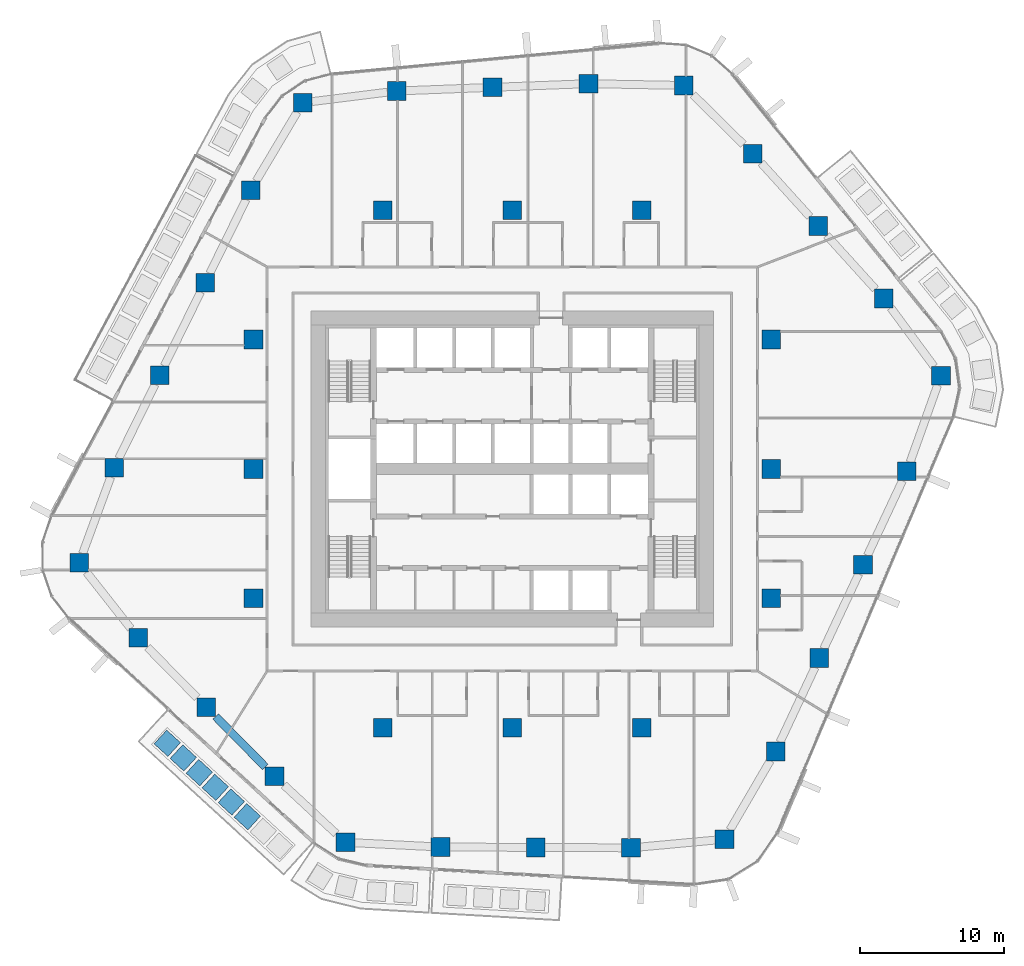
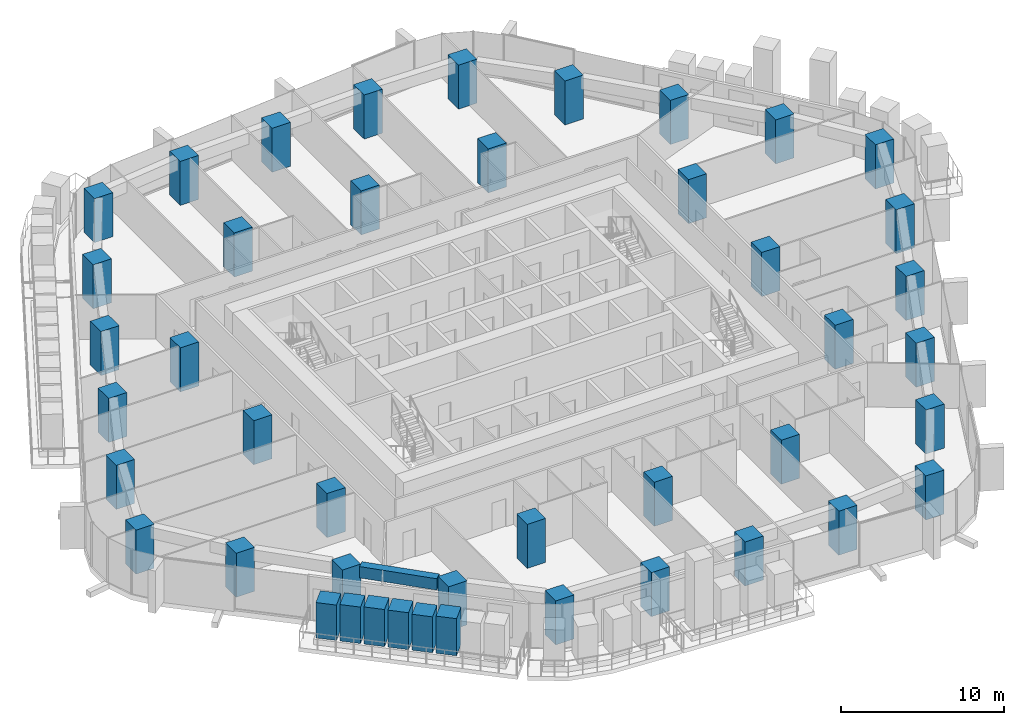
# One storey, part 1 of 24: 38 columns, 6 members, 1 beam.
"""IFC4 building model written with IfcOpenShell, lengths in metres."""

from ifc_helpers import new_model, si_unit, direction, frame, origin, origin_2d, place, context, subcontext, project, spatial, rectangle, extrude, material, material_profile, profile_set, type_object, element, save


model = new_model("IFC4")

# Units and contexts
model_context = context("Model", 3, precision=1e-05, world=origin(), true_north=direction((0.0, 1.0)))
body_context = subcontext(model_context, "Body", "Model", "MODEL_VIEW")
ifc_project = project(units=[si_unit("LENGTHUNIT", "METRE"), si_unit("AREAUNIT", "SQUARE_METRE"), si_unit("VOLUMEUNIT", "CUBIC_METRE"), si_unit("PLANEANGLEUNIT", "RADIAN"), si_unit("MASSUNIT", "GRAM", prefix="KILO")], contexts=[model_context])

# Site, building, storey
site_placement = place(None, origin())
site = spatial("IfcSite", under=ifc_project, at=site_placement, CompositionType="ELEMENT")
building_placement = place(site_placement, origin())
building = spatial("IfcBuilding", under=site, at=building_placement, Name="Dongbaek Canopy Tower", CompositionType="ELEMENT")
storey_placement = place(building_placement, frame((0.0, 0.0, 124.800048828125)))
storey = spatial("IfcBuildingStorey", under=building, at=storey_placement, Name="L27", CompositionType="ELEMENT", Elevation=124.800048828125)

# Columns
ifc_material_1 = material(Name="Concrete C80", Category="concrete")
ifc_material_profile_1 = material_profile(ifc_material_1, rectangle(XDim=1.300048828125, YDim=1.300048828125, at=origin_2d()), Name="RC COLUMN 1300x1300 C80")
ifc_profile_set_1 = profile_set([ifc_material_profile_1], Name="Concrete C80")
column_type = type_object("IfcColumnType", Name="RC COLUMN 1300x1300 C80", PredefinedType="COLUMN", material=ifc_profile_set_1)
for number, where, z_axis, x_axis, name in (
    (1, (14.760009765625, -25.7490234375, 0.0), (0.0, 0.0, 1.0), (1.0, 0.0, 0.0), "COL:CZ2-01:L27"),
    (2, (8.258056640625, -26.34912109375, 0.0), (0.0, 0.0, 1.0), (1.0, 0.0, 0.0), "COL:CZ2-02:L27"),
    (3, (1.62890625, -26.319091796875, 0.0), (0.0, 0.0, 1.0), (1.0, 0.0, 0.0), "COL:CZ2-03:L27"),
    (4, (-5.0, -26.2900390625, 0.0), (0.0, 0.0, 1.0), (1.0, 0.0, 0.0), "COL:CZ2-04:L27"),
    (5, (-11.59912109375, -25.966064453125, 0.0), (0.0, 0.0, 1.0), (1.0, 0.0, 0.0), "COL:CZ2-05:L27"),
    (6, (-16.532958984375, -21.376953125, 0.0), (0.0, 0.0, 1.0), (1.0, 0.0, 0.0), "COL:CZ2-06:L27"),
    (7, (-21.277099609375, -16.56005859375, 0.0), (0.0, 0.0, 1.0), (1.0, 0.0, 0.0), "COL:CZ2-07:L27"),
    (8, (-26.02099609375, -11.742919921875, 0.0), (0.0, 0.0, 1.0), (1.0, 0.0, 0.0), "COL:CZ2-08:L27"),
    (9, (-30.125, -6.527099609375, 0.0), (0.0, 0.0, 1.0), (1.0, 0.0, 0.0), "COL:CZ2-09:L27"),
    (10, (-27.693115234375, 0.0830078125, 0.0), (0.0, 0.0, 1.0), (1.0, 0.0, 0.0), "COL:CZ2-10:L27"),
    (11, (-24.529052734375, 6.51806640625, 0.0), (0.0, 0.0, 1.0), (1.0, 0.0, 0.0), "COL:CZ2-11:L27"),
    (12, (-21.364013671875, 12.951904296875, 0.0), (0.0, 0.0, 1.0), (1.0, 0.0, 0.0), "COL:CZ2-12:L27"),
    (13, (-18.198974609375, 19.385986328125, 0.0), (0.0, 0.0, 1.0), (1.0, 0.0, 0.0), "COL:CZ2-13:L27"),
    (14, (-14.575927734375, 25.471923828125, 0.0), (0.0, 0.0, 1.0), (1.0, 0.0, 0.0), "COL:CZ2-14:L27"),
    (15, (-8.041015625, 26.2880859375, 0.0), (0.0, 0.0, 1.0), (1.0, 0.0, 0.0), "COL:CZ2-15:L27"),
    (16, (-1.3720703125, 26.5439453125, 0.0), (0.0, 0.0, 1.0), (1.0, 0.0, 0.0), "COL:CZ2-16:L27"),
    (17, (5.294921875, 26.798095703125, 0.0), (0.0, 0.0, 1.0), (1.0, 0.0, 0.0), "COL:CZ2-17:L27"),
    (18, (11.9169921875, 26.674072265625, 0.0), (0.0, 0.0, 1.0), (1.0, 0.0, 0.0), "COL:CZ2-18:L27"),
    (19, (16.718017578125, 21.93505859375, 0.0), (0.0, 0.0, 1.0), (1.0, 0.0, 0.0), "COL:CZ2-19:L27"),
    (20, (21.280029296875, 16.89794921875, 0.0), (0.0, 0.0, 1.0), (1.0, 0.0, 0.0), "COL:CZ2-20:L27"),
    (21, (25.841064453125, 11.862060546875, 0.0), (0.0, 0.0, 1.0), (1.0, 0.0, 0.0), "COL:CZ2-21:L27"),
    (22, (29.81103515625, 6.48193359375, 0.0), (0.0, 0.0, 1.0), (1.0, 0.0, 0.0), "COL:CZ2-22:L27"),
    (23, (27.43603515625, -0.1650390625, 0.0), (0.0, 0.0, 1.0), (1.0, 0.0, 0.0), "COL:CZ2-23:L27"),
    (24, (24.39599609375, -6.656982421875, 0.0), (0.0, 0.0, 1.0), (1.0, 0.0, 0.0), "COL:CZ2-24:L27"),
    (25, (21.35595703125, -13.14990234375, 0.0), (0.0, 0.0, 1.0), (1.0, 0.0, 0.0), "COL:CZ2-25:L27"),
    (26, (18.31494140625, -19.64208984375, 0.0), (0.0, 0.0, 1.0), (1.0, 0.0, 0.0), "COL:CZ2-26:L27"),
    (27, (-18.0, -9.0, 0.0), (0.0, 0.0, 1.0), (1.0, 0.0, 0.0), "COL:CIZ2-01:L27"),
    (28, (-18.0, 0.0, 0.0), (0.0, 0.0, 1.0), (1.0, 0.0, 0.0), "COL:CIZ2-02:L27"),
    (29, (-18.0, 9.0, 0.0), (0.0, 0.0, 1.0), (1.0, 0.0, 0.0), "COL:CIZ2-03:L27"),
    (30, (-9.0, -18.0, 0.0), (0.0, 0.0, 1.0), (1.0, 0.0, 0.0), "COL:CIZ2-04:L27"),
    (31, (-9.0, 18.0, 0.0), (0.0, 0.0, 1.0), (1.0, 0.0, 0.0), "COL:CIZ2-05:L27"),
    (32, (0.0, -18.0, 0.0), (0.0, 0.0, 1.0), (1.0, 0.0, 0.0), "COL:CIZ2-06:L27"),
    (33, (0.0, 18.0, 0.0), (0.0, 0.0, 1.0), (1.0, 0.0, 0.0), "COL:CIZ2-07:L27"),
    (34, (9.0, -18.0, 0.0), (0.0, 0.0, 1.0), (1.0, 0.0, 0.0), "COL:CIZ2-08:L27"),
    (35, (9.0, 18.0, 0.0), (0.0, 0.0, 1.0), (1.0, 0.0, 0.0), "COL:CIZ2-09:L27"),
    (36, (18.0, -9.0, 0.0), (0.0, 0.0, 1.0), (1.0, 0.0, 0.0), "COL:CIZ2-10:L27"),
    (37, (18.0, 0.0, 0.0), (0.0, 0.0, 1.0), (1.0, 0.0, 0.0), "COL:CIZ2-11:L27"),
    (38, (18.0, 9.0, 0.0), (0.0, 0.0, 1.0), (1.0, 0.0, 0.0), "COL:CIZ2-12:L27"),
):
    element("IfcColumn", number, at=place(storey_placement, frame(where, z_axis=z_axis, x_axis=x_axis)), inside=storey, type_object=column_type, Name=name, PredefinedType="COLUMN", context=body_context, shape_type="SweptSolid", body=[
        extrude(rectangle(XDim=1.300048828125, YDim=1.300048828125, at=origin_2d()), origin(), (0.0, 0.0, 1.0), 3.300048828125),
    ])

# Beam
ifc_material_2 = material(Name="Concrete C80", Category="concrete")
ifc_material_profile_2 = material_profile(ifc_material_2, rectangle(XDim=0.550048828125, YDim=0.85009765625, at=origin_2d()), Name="RC EDGE BEAM 550x850 C80")
ifc_profile_set_2 = profile_set([ifc_material_profile_2], Name="Concrete C80")
beam_type = type_object("IfcBeamType", Name="RC EDGE BEAM 550x850 C80", PredefinedType="BEAM", material=ifc_profile_set_2)
beam_placement = place(storey_placement, frame((-17.173095703125, -20.72705078125, 2.875), z_axis=(-0.701695422573, 0.712477040992, 0.0), x_axis=(-0.712477040992, -0.701695422573, 0.0)))
element("IfcBeam", 39, at=beam_placement, inside=storey, type_object=beam_type, Name="EDGEBEAM:L27:05", PredefinedType="BEAM", context=body_context, shape_type="SweptSolid", body=[
    extrude(rectangle(XDim=0.550048828125, YDim=0.85009765625, at=origin_2d()), origin(), (0.0, 0.0, 1.0), 4.9365234375),
])

# Members
ifc_material_3 = material(Name="Concrete C40/50 planter mass with planting", Category="concrete")
ifc_material_profile_3 = material_profile(ifc_material_3, rectangle(XDim=1.300048828125, YDim=1.300048828125, at=origin_2d()), Name="Terrace PLANTER shrub mass 1300 x 1300")
ifc_profile_set_3 = profile_set([ifc_material_profile_3], Name="Concrete C40/50 planter mass with planting")
member_type = type_object("IfcMemberType", Name="Terrace PLANTER shrub mass 1300 x 1300", PredefinedType="USERDEFINED", material=ifc_profile_set_3)
member_1_placement = place(storey_placement, frame((-23.99560546875, -19.074462890625, 0.419921875), z_axis=(0.0, 0.0, 1.0), x_axis=(-0.675980347655, -0.73691964934, 0.0)))
element("IfcMember", 40, at=member_1_placement, inside=storey, type_object=member_type, Name="Planter shrubs L27 3.1", ObjectType="PLANTER", PredefinedType="USERDEFINED", context=body_context, shape_type="SweptSolid", body=[
    extrude(rectangle(XDim=1.300048828125, YDim=1.300048828125, at=origin_2d()), origin(), (0.0, 0.0, 1.0), 2.650146484375),
])
member_2_placement = place(storey_placement, frame((-22.882080078125, -20.095947265625, 0.419921875), z_axis=(0.0, 0.0, 1.0), x_axis=(-0.675980347655, -0.73691964934, 0.0)))
element("IfcMember", 41, at=member_2_placement, inside=storey, type_object=member_type, Name="Planter shrubs L27 3.2", ObjectType="PLANTER", PredefinedType="USERDEFINED", context=body_context, shape_type="SweptSolid", body=[
    extrude(rectangle(XDim=1.300048828125, YDim=1.300048828125, at=origin_2d()), origin(), (0.0, 0.0, 1.0), 2.72998046875),
])
member_3_placement = place(storey_placement, frame((-21.7685546875, -21.117431640625, 0.419921875), z_axis=(0.0, 0.0, 1.0), x_axis=(-0.675980347655, -0.73691964934, 0.0)))
element("IfcMember", 42, at=member_3_placement, inside=storey, type_object=member_type, Name="Planter shrubs L27 3.3", ObjectType="PLANTER", PredefinedType="USERDEFINED", context=body_context, shape_type="SweptSolid", body=[
    extrude(rectangle(XDim=1.300048828125, YDim=1.300048828125, at=origin_2d()), origin(), (0.0, 0.0, 1.0), 2.780029296875),
])
member_4_placement = place(storey_placement, frame((-20.655029296875, -22.138916015625, 0.419921875), z_axis=(0.0, 0.0, 1.0), x_axis=(-0.675980347655, -0.73691964934, 0.0)))
element("IfcMember", 43, at=member_4_placement, inside=storey, type_object=member_type, Name="Planter shrubs L27 3.4", ObjectType="PLANTER", PredefinedType="USERDEFINED", context=body_context, shape_type="SweptSolid", body=[
    extrude(rectangle(XDim=1.300048828125, YDim=1.300048828125, at=origin_2d()), origin(), (0.0, 0.0, 1.0), 2.77001953125),
])
member_5_placement = place(storey_placement, frame((-19.54150390625, -23.160400390625, 0.419921875), z_axis=(0.0, 0.0, 1.0), x_axis=(-0.675980347655, -0.73691964934, 0.0)))
element("IfcMember", 44, at=member_5_placement, inside=storey, type_object=member_type, Name="Planter shrubs L27 3.5", ObjectType="PLANTER", PredefinedType="USERDEFINED", context=body_context, shape_type="SweptSolid", body=[
    extrude(rectangle(XDim=1.300048828125, YDim=1.300048828125, at=origin_2d()), origin(), (0.0, 0.0, 1.0), 2.68994140625),
])
member_6_placement = place(storey_placement, frame((-18.427978515625, -24.181640625, 0.419921875), z_axis=(0.0, 0.0, 1.0), x_axis=(-0.675980347655, -0.73691964934, 0.0)))
element("IfcMember", 45, at=member_6_placement, inside=storey, type_object=member_type, Name="Planter shrubs L27 3.6", ObjectType="PLANTER", PredefinedType="USERDEFINED", context=body_context, shape_type="SweptSolid", body=[
    extrude(rectangle(XDim=1.300048828125, YDim=1.300048828125, at=origin_2d()), origin(), (0.0, 0.0, 1.0), 2.780029296875),
])

save(model, "model.ifc")
